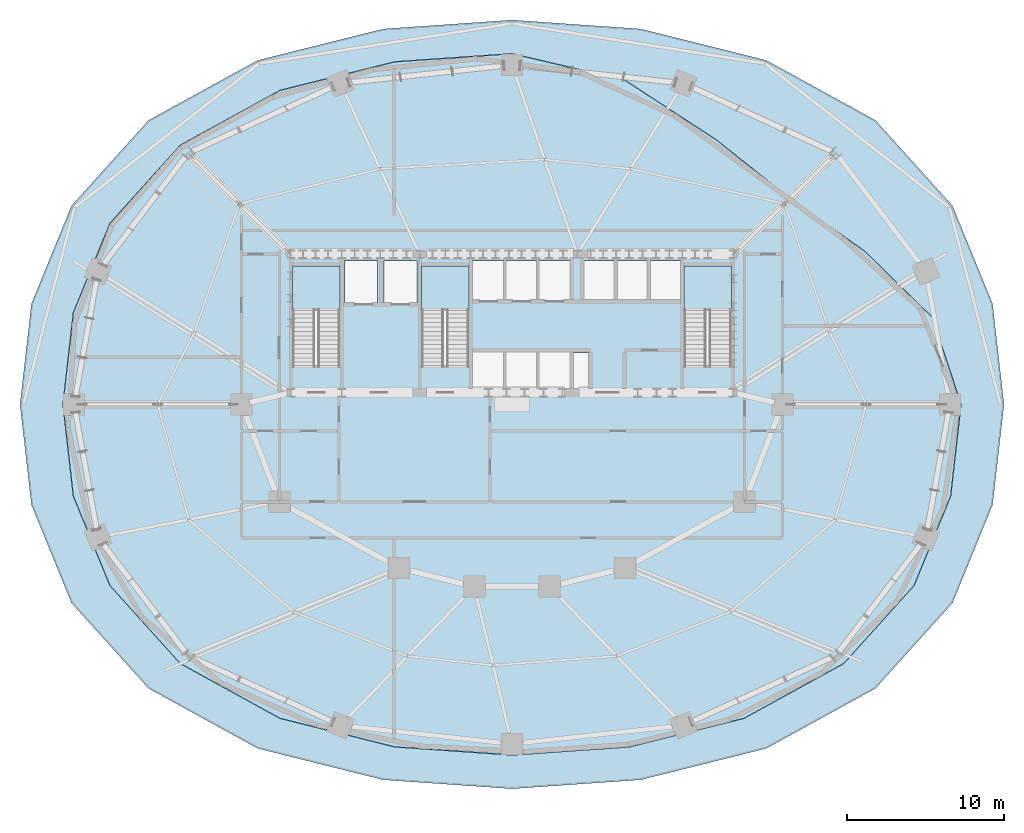
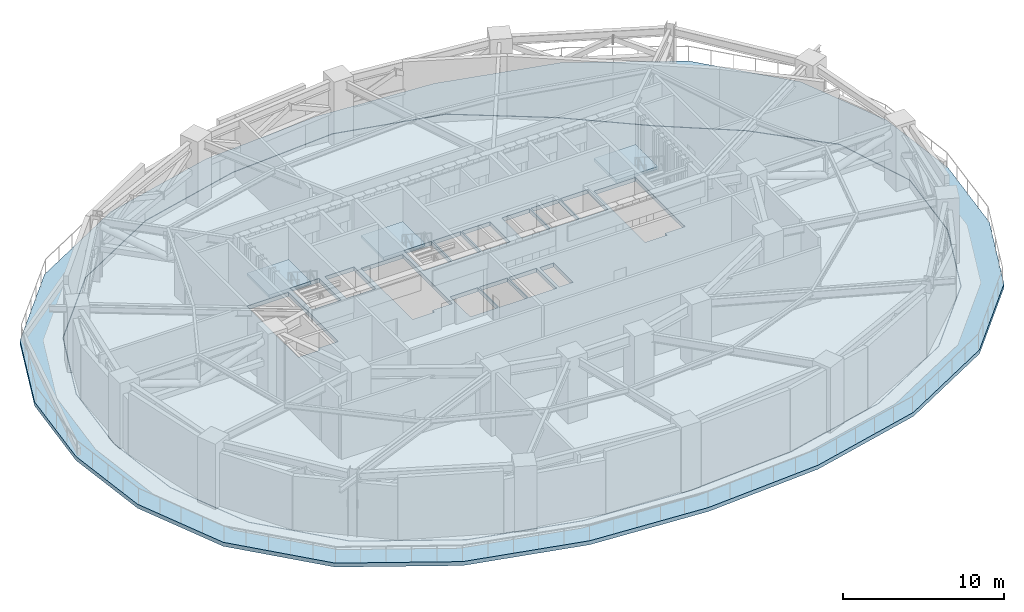
# One storey, part 9 of 18: 5 slabs, 3 elements without a shape of their own.
"""IFC4 building model written with IfcOpenShell, lengths in metres."""

from ifc_helpers import new_model, si_unit, direction, frame, origin, place, context, subcontext, project, spatial, polyline, outline, extrude, material, layer, layer_set, type_object, element, aggregate, save


model = new_model("IFC4")

# Units and contexts
model_context = context("Model", 3, precision=1e-05, world=origin(), true_north=direction((0.0, 1.0)))
body_context = subcontext(model_context, "Body", "Model", "MODEL_VIEW")
ifc_project = project(units=[si_unit("LENGTHUNIT", "METRE"), si_unit("AREAUNIT", "SQUARE_METRE"), si_unit("VOLUMEUNIT", "CUBIC_METRE"), si_unit("PLANEANGLEUNIT", "RADIAN"), si_unit("MASSUNIT", "GRAM", prefix="KILO")], contexts=[model_context])

# Site, building, storey
site_placement = place(None, origin())
site = spatial("IfcSite", under=ifc_project, at=site_placement, CompositionType="ELEMENT")
building_placement = place(site_placement, origin())
building = spatial("IfcBuilding", under=site, at=building_placement, Name="Haldorwick Loom Tower", CompositionType="ELEMENT")
storey_placement = place(building_placement, frame((0.0, 0.0, 76.800048828125)))
storey = spatial("IfcBuildingStorey", under=building, at=storey_placement, Name="L20", CompositionType="ELEMENT", Elevation=76.800048828125)

# Slab
ifc_material = material(Name="Concrete C40 (40 MPa)", Category="concrete")
ifc_layer_1 = layer(ifc_material, 0.300048828125, Name="Concrete C40 (40 MPa)", Category="concrete")
ifc_layer_set_1 = layer_set([ifc_layer_1], Name="Concrete C40 (40 MPa)")
slab_type_1 = type_object("IfcSlabType", Name="STR-SLB-CONC300", PredefinedType="FLOOR", material=ifc_layer_set_1)
slab_1_placement = place(storey_placement, frame((0.0, 0.0, -0.300048828125)))
element("IfcSlab", 1, at=slab_1_placement, inside=storey, type_object=slab_type_1, Name="L20 Structural Floor Slab", PredefinedType="FLOOR", context=body_context, shape_type="SweptSolid", body=[
    extrude(outline(polyline([(57.101806640625, 9.523193359375), (61.566162109375, 14.474609375), (63.894775390625, 20.163818359375), (64.5576171875, 26.0), (62.735595703125, 31.525634765625), (58.448486328125, 35.725341796875), (53.707763671875, 39.08251953125), (48.960693359375, 42.844970703125), (43.163818359375, 46.62158203125), (36.0, 48.29833984375), (28.525634765625, 47.781005859375), (21.239501953125, 45.962646484375), (14.898193359375, 42.476806640625), (10.433837890625, 37.525390625), (8.105224609375, 31.836181640625), (7.4423828125, 26.0), (8.105224609375, 20.163818359375), (10.433837890625, 14.474609375), (14.898193359375, 9.523193359375), (21.239501953125, 6.037353515625), (28.525634765625, 4.218994140625), (36.0, 3.70166015625), (43.474365234375, 4.218994140625), (50.760498046875, 6.037353515625), (57.101806640625, 9.523193359375)]), holes=[polyline([(35.5, 26.85009765625), (33.5, 26.85009765625), (33.5, 29.35009765625), (35.5, 29.35009765625), (35.5, 26.85009765625)]), polyline([(35.60009765625, 26.85009765625), (35.60009765625, 29.35009765625), (37.60009765625, 29.35009765625), (37.60009765625, 26.85009765625), (35.60009765625, 26.85009765625)]), polyline([(22.050048828125, 28.39990234375), (22.050048828125, 34.800048828125), (25.050048828125, 34.800048828125), (25.050048828125, 28.639892578125), (23.6201171875, 28.639892578125), (23.6201171875, 28.39990234375), (22.050048828125, 28.39990234375)]), polyline([(30.25, 28.39990234375), (30.25, 34.800048828125), (33.25, 34.800048828125), (33.25, 28.639892578125), (31.820068359375, 28.639892578125), (31.820068359375, 28.39990234375), (30.25, 28.39990234375)]), polyline([(25.35009765625, 32.449951171875), (25.35009765625, 35.14990234375), (27.449951171875, 35.14990234375), (27.449951171875, 32.449951171875), (25.35009765625, 32.449951171875)]), polyline([(27.85009765625, 32.449951171875), (27.85009765625, 35.14990234375), (29.949951171875, 35.14990234375), (29.949951171875, 32.449951171875), (27.85009765625, 32.449951171875)]), polyline([(33.5, 32.64990234375), (33.5, 35.14990234375), (35.5, 35.14990234375), (35.5, 32.64990234375), (33.5, 32.64990234375)]), polyline([(35.60009765625, 32.64990234375), (35.60009765625, 35.14990234375), (37.60009765625, 35.14990234375), (37.60009765625, 32.64990234375), (35.60009765625, 32.64990234375)]), polyline([(37.699951171875, 26.85009765625), (37.699951171875, 29.35009765625), (39.699951171875, 29.35009765625), (39.699951171875, 26.85009765625), (37.699951171875, 26.85009765625)]), polyline([(39.89990234375, 26.89990234375), (39.89990234375, 29.300048828125), (40.89990234375, 29.300048828125), (40.89990234375, 26.89990234375), (39.89990234375, 26.89990234375)]), polyline([(46.949951171875, 28.39990234375), (46.949951171875, 34.800048828125), (49.949951171875, 34.800048828125), (49.949951171875, 28.639892578125), (48.52001953125, 28.639892578125), (48.52001953125, 28.39990234375), (46.949951171875, 28.39990234375)]), polyline([(37.699951171875, 32.64990234375), (37.699951171875, 35.14990234375), (39.699951171875, 35.14990234375), (39.699951171875, 32.64990234375), (37.699951171875, 32.64990234375)]), polyline([(40.550048828125, 32.64990234375), (40.550048828125, 35.14990234375), (42.550048828125, 35.14990234375), (42.550048828125, 32.64990234375), (40.550048828125, 32.64990234375)]), polyline([(42.64990234375, 32.64990234375), (42.64990234375, 35.14990234375), (44.64990234375, 35.14990234375), (44.64990234375, 32.64990234375), (42.64990234375, 32.64990234375)]), polyline([(44.75, 32.64990234375), (44.75, 35.14990234375), (46.75, 35.14990234375), (46.75, 32.64990234375), (44.75, 32.64990234375)])]), origin(), (0.0, 0.0, 1.0), 0.300048828125),
])

# Stair, slab
stair_type = type_object("IfcStairType", Name="STR-STR-CORE", PredefinedType="HALF_TURN_STAIR", material=ifc_material)
stair_1_placement = place(storey_placement, origin())
stair_1 = element("IfcStair", 2, at=stair_1_placement, inside=storey, type_object=stair_type, Name="L20 Exit Stair ST-01", PredefinedType="HALF_TURN_STAIR")
ifc_layer_2 = layer(ifc_material, 0.199951171875, Name="Concrete C40 (40 MPa)", Category="concrete")
ifc_layer_set_2 = layer_set([ifc_layer_2], Name="Concrete C40 (40 MPa)")
slab_type_2 = type_object("IfcSlabType", Name="STR-SLB-LAND200", PredefinedType="LANDING", material=ifc_layer_set_2)
slab_2_placement = place(storey_placement, frame((0.0, 0.0, 2.300048828125)))
slab_2 = element("IfcSlab", 3, at=slab_2_placement, type_object=slab_type_2, Name="ST-01 landing 1", PredefinedType="LANDING", context=body_context, shape_type="SweptSolid", body=[
    extrude(outline(polyline([(25.050048828125, 32.0400390625), (25.050048828125, 34.800048828125), (22.050048828125, 34.800048828125), (22.050048828125, 32.0400390625), (25.050048828125, 32.0400390625)])), origin(), (0.0, 0.0, 1.0), 0.199951171875),
])
aggregate(stair_1, [slab_2])

stair_2_placement = place(storey_placement, origin())
stair_2 = element("IfcStair", 4, at=stair_2_placement, inside=storey, type_object=stair_type, Name="L20 Exit Stair ST-02", PredefinedType="HALF_TURN_STAIR")
slab_3_placement = place(storey_placement, frame((0.0, 0.0, 2.300048828125)))
slab_3 = element("IfcSlab", 5, at=slab_3_placement, type_object=slab_type_2, Name="ST-02 landing 1", PredefinedType="LANDING", context=body_context, shape_type="SweptSolid", body=[
    extrude(outline(polyline([(49.949951171875, 32.0400390625), (49.949951171875, 34.800048828125), (46.949951171875, 34.800048828125), (46.949951171875, 32.0400390625), (49.949951171875, 32.0400390625)])), origin(), (0.0, 0.0, 1.0), 0.199951171875),
])
aggregate(stair_2, [slab_3])

stair_3_placement = place(storey_placement, origin())
stair_3 = element("IfcStair", 6, at=stair_3_placement, inside=storey, type_object=stair_type, Name="L20 Exit Stair ST-03", PredefinedType="HALF_TURN_STAIR")
slab_4_placement = place(storey_placement, frame((0.0, 0.0, 2.300048828125)))
slab_4 = element("IfcSlab", 7, at=slab_4_placement, type_object=slab_type_2, Name="ST-03 landing 1", PredefinedType="LANDING", context=body_context, shape_type="SweptSolid", body=[
    extrude(outline(polyline([(33.25, 32.0400390625), (33.25, 34.800048828125), (30.25, 34.800048828125), (30.25, 32.0400390625), (33.25, 32.0400390625)])), origin(), (0.0, 0.0, 1.0), 0.199951171875),
])
aggregate(stair_3, [slab_4])

# Slab
ifc_layer_3 = layer(ifc_material, 0.280029296875, Name="Concrete C40 (40 MPa)", Category="concrete")
ifc_layer_set_3 = layer_set([ifc_layer_3], Name="Concrete C40 (40 MPa)")
slab_type_3 = type_object("IfcSlabType", Name="STR-SLB-TERR280", PredefinedType="FLOOR", material=ifc_layer_set_3)
slab_5_placement = place(storey_placement, frame((0.0, 0.0, -0.300048828125)))
element("IfcSlab", 8, at=slab_5_placement, inside=storey, type_object=slab_type_3, Name="L20 Planted Setback Terrace Slab 1", PredefinedType="FLOOR", context=body_context, shape_type="SweptSolid", body=[
    extrude(outline(polyline([(67.295654296875, 25.997802734375), (67.2958984375, 26.0), (67.295654296875, 26.002197265625), (66.56982421875, 32.396484375), (66.569580078125, 32.3984375), (66.569091796875, 32.400146484375), (66.568603515625, 32.40185546875), (64.01904296875, 38.63427734375), (64.018310546875, 38.6357421875), (64.017333984375, 38.63720703125), (64.0166015625, 38.638916015625), (64.015380859375, 38.64013671875), (59.12744140625, 44.064208984375), (59.1259765625, 44.065673828125), (59.1240234375, 44.06689453125), (59.122314453125, 44.068115234375), (52.17822265625, 47.887451171875), (52.1767578125, 47.88818359375), (52.175048828125, 47.888916015625), (52.173583984375, 47.889404296875), (44.19287109375, 49.882080078125), (44.191162109375, 49.88232421875), (44.189208984375, 49.882568359375), (36.00146484375, 50.449951171875), (35.99853515625, 50.449951171875), (27.810791015625, 49.882568359375), (27.808837890625, 49.88232421875), (27.80712890625, 49.882080078125), (19.826416015625, 47.889404296875), (19.824951171875, 47.888916015625), (19.8232421875, 47.88818359375), (19.82177734375, 47.887451171875), (12.877685546875, 44.068115234375), (12.8759765625, 44.06689453125), (12.8740234375, 44.065673828125), (12.87255859375, 44.064208984375), (7.984619140625, 38.64013671875), (7.9833984375, 38.638916015625), (7.982666015625, 38.63720703125), (7.981689453125, 38.6357421875), (7.98095703125, 38.63427734375), (5.431396484375, 32.40185546875), (5.430908203125, 32.400146484375), (5.430419921875, 32.3984375), (5.43017578125, 32.396484375), (4.704345703125, 26.002197265625), (4.7041015625, 26.0), (4.704345703125, 25.997802734375), (5.43017578125, 19.603515625), (5.430419921875, 19.6015625), (5.430908203125, 19.599853515625), (5.431396484375, 19.59814453125), (7.98095703125, 13.36572265625), (7.981689453125, 13.3642578125), (7.982666015625, 13.36279296875), (7.9833984375, 13.361083984375), (7.984619140625, 13.35986328125), (12.87255859375, 7.935791015625), (12.8740234375, 7.934326171875), (12.8759765625, 7.93310546875), (12.877685546875, 7.931884765625), (19.82177734375, 4.112548828125), (19.8232421875, 4.11181640625), (19.824951171875, 4.111083984375), (19.826416015625, 4.110595703125), (27.80712890625, 2.117919921875), (27.808837890625, 2.11767578125), (27.810791015625, 2.117431640625), (35.99853515625, 1.550048828125), (36.00146484375, 1.550048828125), (44.189208984375, 2.117431640625), (44.191162109375, 2.11767578125), (44.19287109375, 2.117919921875), (52.173583984375, 4.110595703125), (52.175048828125, 4.111083984375), (52.1767578125, 4.11181640625), (52.17822265625, 4.112548828125), (59.122314453125, 7.931884765625), (59.1240234375, 7.93310546875), (59.1259765625, 7.934326171875), (59.12744140625, 7.935791015625), (64.015380859375, 13.35986328125), (64.0166015625, 13.361083984375), (64.017333984375, 13.36279296875), (64.018310546875, 13.3642578125), (64.01904296875, 13.36572265625), (66.568603515625, 19.59814453125), (66.569091796875, 19.599853515625), (66.569580078125, 19.6015625), (66.56982421875, 19.603515625), (67.295654296875, 25.997802734375)]), holes=[polyline([(64.572509765625, 25.99853515625), (64.572509765625, 25.998046875), (63.90966796875, 20.162353515625), (63.90966796875, 20.161865234375), (63.90966796875, 20.1611328125), (63.909423828125, 20.160400390625), (63.9091796875, 20.159912109375), (63.908935546875, 20.158935546875), (63.90869140625, 20.158203125), (63.90869140625, 20.157958984375), (61.580078125, 14.468994140625), (61.579833984375, 14.46875), (61.57958984375, 14.468017578125), (61.5791015625, 14.46728515625), (61.5791015625, 14.467041015625), (61.57861328125, 14.46630859375), (61.578369140625, 14.4658203125), (61.577880859375, 14.465087890625), (61.577392578125, 14.464599609375), (61.5771484375, 14.46435546875), (57.113037109375, 9.513427734375), (57.11279296875, 9.51318359375), (57.112060546875, 9.512451171875), (57.111328125, 9.51171875), (57.11083984375, 9.511474609375), (57.110107421875, 9.5107421875), (57.109375, 9.51025390625), (57.10888671875, 9.510009765625), (50.76806640625, 6.0244140625), (50.767578125, 6.024169921875), (50.76708984375, 6.02392578125), (50.766357421875, 6.0234375), (50.765869140625, 6.0234375), (50.76513671875, 6.023193359375), (50.764404296875, 6.02294921875), (50.763916015625, 6.022705078125), (43.478271484375, 4.20458984375), (43.477783203125, 4.20458984375), (43.477294921875, 4.204345703125), (43.476318359375, 4.2041015625), (43.4755859375, 4.2041015625), (43.47509765625, 4.2041015625), (36.00146484375, 3.686767578125), (36.000732421875, 3.6865234375), (35.999267578125, 3.6865234375), (35.99853515625, 3.686767578125), (28.52490234375, 4.2041015625), (28.5244140625, 4.2041015625), (28.523681640625, 4.2041015625), (28.522705078125, 4.204345703125), (28.522216796875, 4.20458984375), (28.521728515625, 4.20458984375), (21.236083984375, 6.022705078125), (21.235595703125, 6.02294921875), (21.23486328125, 6.023193359375), (21.234130859375, 6.0234375), (21.233642578125, 6.0234375), (21.23291015625, 6.02392578125), (21.232421875, 6.024169921875), (21.23193359375, 6.0244140625), (14.89111328125, 9.510009765625), (14.890625, 9.51025390625), (14.889892578125, 9.5107421875), (14.88916015625, 9.511474609375), (14.888671875, 9.51171875), (14.887939453125, 9.512451171875), (14.88720703125, 9.51318359375), (14.886962890625, 9.513427734375), (10.4228515625, 14.46435546875), (10.422607421875, 14.464599609375), (10.422119140625, 14.465087890625), (10.421630859375, 14.4658203125), (10.42138671875, 14.46630859375), (10.4208984375, 14.467041015625), (10.4208984375, 14.46728515625), (10.42041015625, 14.468017578125), (10.420166015625, 14.46875), (10.419921875, 14.468994140625), (8.09130859375, 20.157958984375), (8.09130859375, 20.158203125), (8.091064453125, 20.158935546875), (8.0908203125, 20.159912109375), (8.090576171875, 20.160400390625), (8.09033203125, 20.1611328125), (8.09033203125, 20.161865234375), (8.09033203125, 20.162353515625), (7.427490234375, 25.998046875), (7.427490234375, 25.99853515625), (7.427490234375, 25.99951171875), (7.427490234375, 26.00048828125), (7.427490234375, 26.00146484375), (7.427490234375, 26.001953125), (8.09033203125, 31.837646484375), (8.09033203125, 31.838134765625), (8.09033203125, 31.8388671875), (8.090576171875, 31.839599609375), (8.0908203125, 31.840087890625), (8.091064453125, 31.841064453125), (8.09130859375, 31.841796875), (8.09130859375, 31.842041015625), (10.419921875, 37.531005859375), (10.420166015625, 37.53125), (10.42041015625, 37.531982421875), (10.4208984375, 37.53271484375), (10.4208984375, 37.532958984375), (10.42138671875, 37.53369140625), (10.421630859375, 37.5341796875), (10.422119140625, 37.534912109375), (10.422607421875, 37.535400390625), (10.4228515625, 37.53564453125), (14.886962890625, 42.486572265625), (14.88720703125, 42.48681640625), (14.887939453125, 42.487548828125), (14.888671875, 42.48828125), (14.88916015625, 42.488525390625), (14.889892578125, 42.4892578125), (14.890625, 42.48974609375), (14.89111328125, 42.489990234375), (21.23193359375, 45.9755859375), (21.232421875, 45.975830078125), (21.23291015625, 45.97607421875), (21.233642578125, 45.9765625), (21.234130859375, 45.9765625), (21.23486328125, 45.976806640625), (21.235595703125, 45.97705078125), (21.236083984375, 45.977294921875), (28.521728515625, 47.79541015625), (28.522216796875, 47.79541015625), (28.522705078125, 47.795654296875), (28.523681640625, 47.7958984375), (28.5244140625, 47.7958984375), (28.52490234375, 47.7958984375), (35.998779296875, 48.313232421875), (35.999267578125, 48.3134765625), (36.0, 48.3134765625), (36.0009765625, 48.3134765625), (36.00146484375, 48.313232421875), (36.00244140625, 48.313232421875), (36.003173828125, 48.31298828125), (36.003662109375, 48.31298828125), (43.1669921875, 46.636474609375), (43.16748046875, 46.63623046875), (43.168212890625, 46.635986328125), (43.1689453125, 46.6357421875), (43.169189453125, 46.635498046875), (43.170166015625, 46.63525390625), (43.17041015625, 46.635009765625), (43.171142578125, 46.634765625), (43.171875, 46.634521484375), (43.172119140625, 46.634033203125), (48.968505859375, 42.857666015625), (48.968994140625, 42.857421875), (48.9697265625, 42.856689453125), (48.97021484375, 42.8564453125), (53.71630859375, 39.094970703125), (53.717041015625, 39.09423828125), (58.456787109375, 35.73779296875), (58.457275390625, 35.737548828125), (58.457763671875, 35.7373046875), (58.458251953125, 35.736572265625), (58.458740234375, 35.736083984375), (58.458984375, 35.736083984375), (62.74609375, 31.53662109375), (62.746337890625, 31.5361328125), (62.746826171875, 31.53564453125), (62.74755859375, 31.534912109375), (62.747802734375, 31.534423828125), (62.748291015625, 31.53369140625), (62.74853515625, 31.533203125), (62.7490234375, 31.532470703125), (62.749267578125, 31.531982421875), (62.74951171875, 31.53125), (62.75, 31.530517578125), (62.75, 31.530029296875), (64.57177734375, 26.0048828125), (64.572021484375, 26.00439453125), (64.572021484375, 26.003662109375), (64.572509765625, 26.002685546875), (64.572509765625, 26.002197265625), (64.572509765625, 26.0009765625), (64.572509765625, 26.00048828125), (64.572509765625, 25.99951171875), (64.572509765625, 25.99853515625)])]), origin(), (0.0, 0.0, 1.0), 0.300048828125),
])

save(model, "model.ifc")
